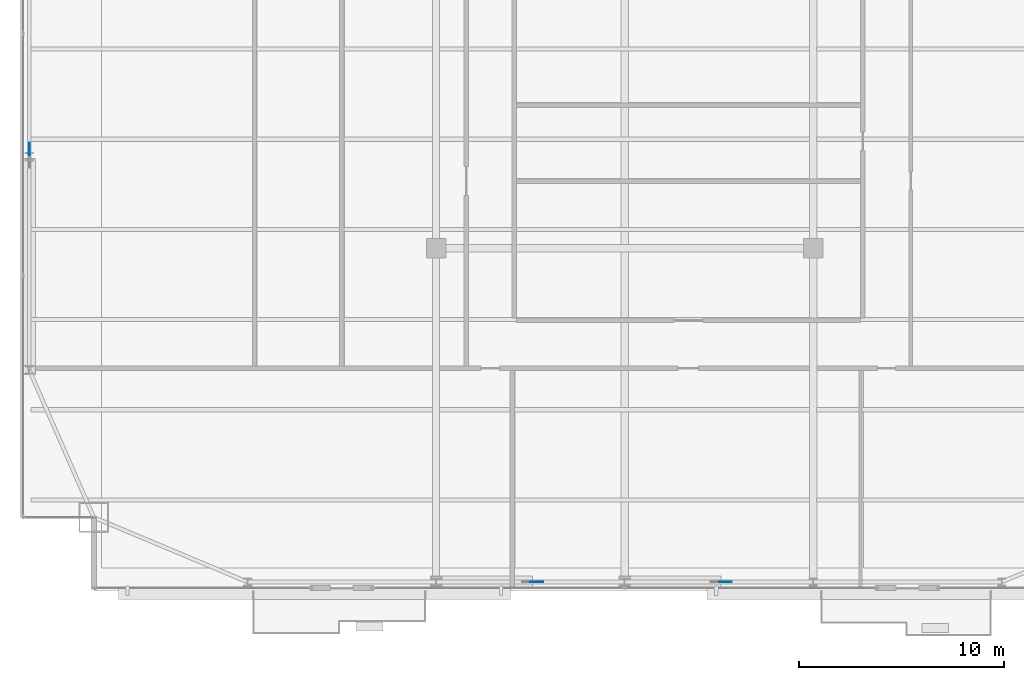
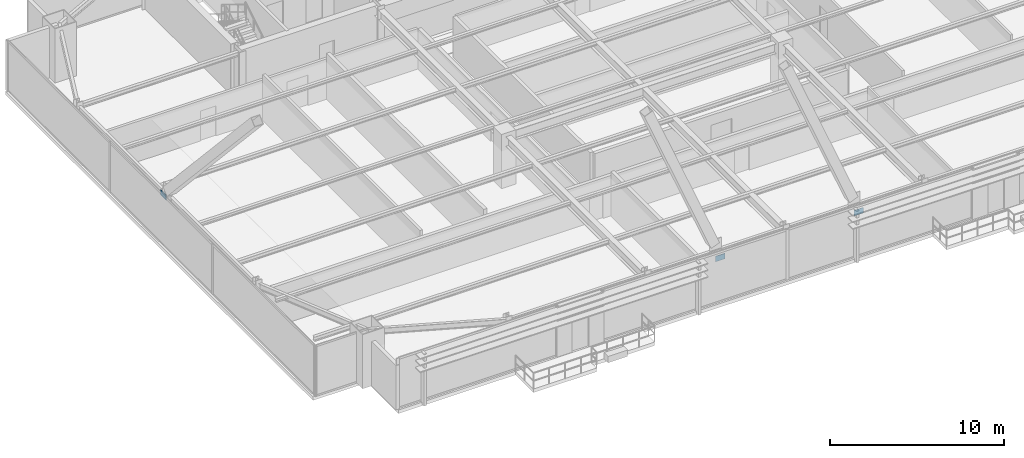
# One storey, part 31 of 37: 3 plates.
"""IFC4 building model written with IfcOpenShell, lengths in metres."""

from ifc_helpers import new_model, si_unit, direction, frame, origin, origin_2d, place, context, subcontext, project, spatial, rectangle, extrude, source, transform, mapped, material, layer, layer_set, type_object, type_shapes, element, save


model = new_model("IFC4")

# Units and contexts
model_context = context("Model", 3, precision=1e-05, world=origin(), true_north=direction((0.0, 1.0)))
body_context = subcontext(model_context, "Body", "Model", "MODEL_VIEW")
ifc_project = project(units=[si_unit("LENGTHUNIT", "METRE"), si_unit("AREAUNIT", "SQUARE_METRE"), si_unit("VOLUMEUNIT", "CUBIC_METRE"), si_unit("PLANEANGLEUNIT", "RADIAN"), si_unit("MASSUNIT", "GRAM", prefix="KILO")], contexts=[model_context])

# Site, building, storey
site_placement = place(None, origin())
site = spatial("IfcSite", under=ifc_project, at=site_placement, CompositionType="ELEMENT")
building_placement = place(site_placement, origin())
building = spatial("IfcBuilding", under=site, at=building_placement, Name="Varnel Quay Broadcast Tower", CompositionType="ELEMENT")
storey_placement = place(building_placement, frame((0.0, 0.0, 125.800048828125)))
storey = spatial("IfcBuildingStorey", under=building, at=storey_placement, Name="L30", CompositionType="ELEMENT", Elevation=125.800048828125)

# Plates
ifc_material = material(Name="Structural Steel CSA G40.21 350WT", Category="steel")
ifc_layer = layer(ifc_material, 0.031982421875, Name="Structural Steel CSA G40.21 350WT")
ifc_layer_set = layer_set([ifc_layer], Name="Structural Steel CSA G40.21 350WT")
plate_type = type_object("IfcPlateType", Name="Plate_EndCap", PredefinedType="USERDEFINED", material=ifc_layer_set)
shared_shape = source(origin(), body_context, "Body", "SweptSolid", [
    extrude(rectangle(XDim=0.6201171875, YDim=0.031982421875, at=origin_2d()), origin(), (0.0, 0.0, 1.0), 0.3798828125),
])
type_shapes(plate_type, [shared_shape])
for number, where, z_axis, x_axis, name in (
    (1, (29.7158203125, 4.64990234375, 2.679931640625), (0.0, 0.0, 1.0), (1.0, 0.0, 0.0), "Zone 2 Mega-Brace S-C1T3 Diag B1 End Connection Plate P1"),
    (2, (38.915771484375, 4.64990234375, 2.679931640625), (0.0, 0.0, 1.0), (1.0, 0.0, 0.0), "Zone 2 Mega-Brace S-C2T3 Diag B1 End Connection Plate P1"),
    (3, (4.949951171875, 25.777587890625, 2.929931640625), (0.0, 0.0, 1.0), (0.0, 1.0, 0.0), "Zone 2 Mega-Brace W-FT3 Diag B1 End Connection Plate P1"),
):
    element("IfcPlate", number, at=place(storey_placement, frame(where, z_axis=z_axis, x_axis=x_axis)), inside=storey, type_object=plate_type, Name=name, ObjectType="CAP_PLATE", PredefinedType="USERDEFINED", context=body_context, shape_type="MappedRepresentation", body=[
        mapped(shared_shape, transform((0.0, 0.0, 0.0), x_axis=(1.0, 0.0, 0.0), y_axis=(0.0, 1.0, 0.0), z_axis=(0.0, 0.0, 1.0), scale=1.0)),
    ])

save(model, "model.ifc")
